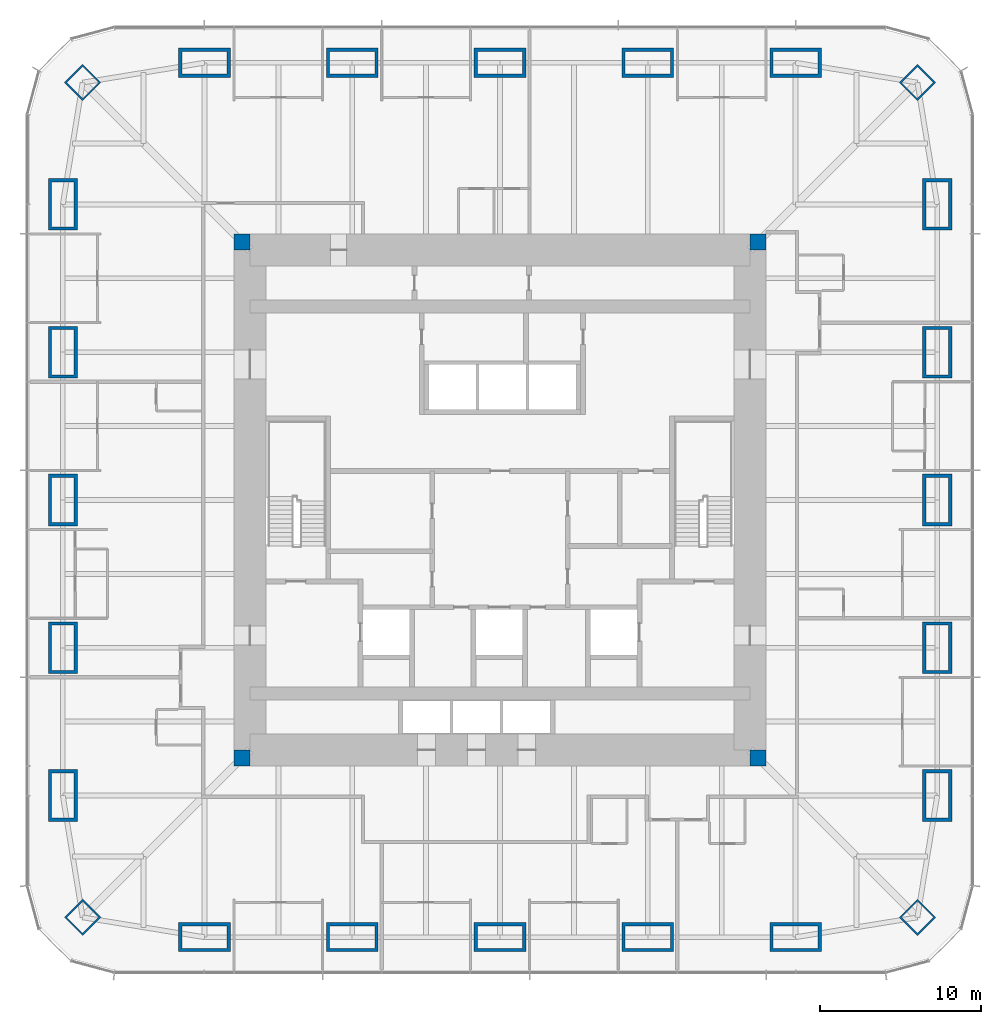
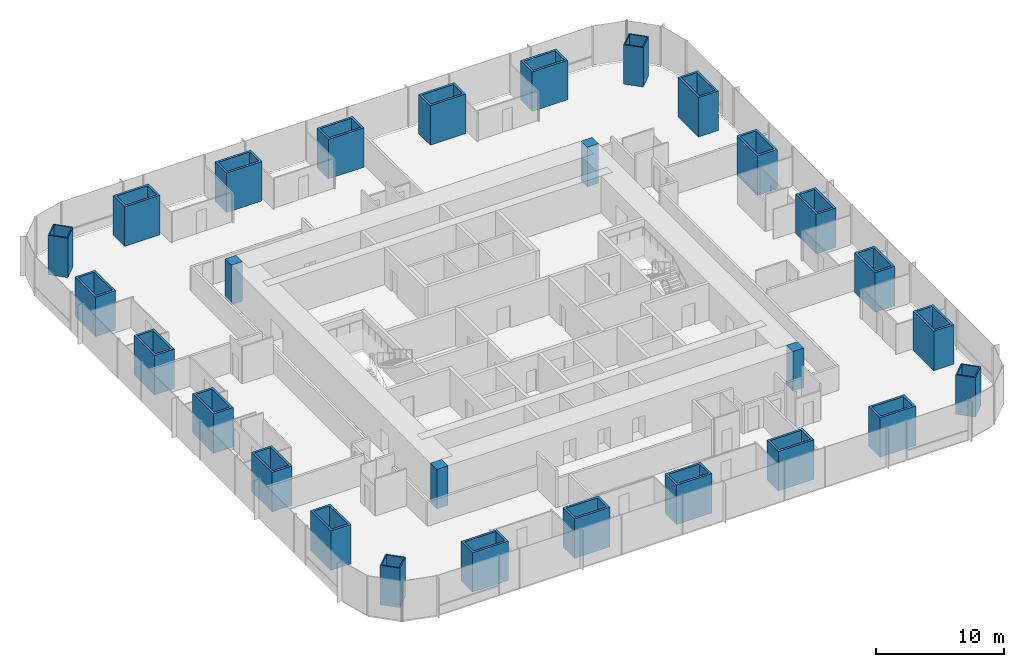
# One storey, part 1 of 13: 28 columns.
"""IFC4 building model written with IfcOpenShell, lengths in metres."""

from ifc_helpers import new_model, si_unit, direction, frame, origin, origin_2d, place, context, subcontext, project, spatial, rectangle, hollow_rectangle, extrude, material, material_profile, profile_set, type_object, element, save


model = new_model("IFC4")

# Units and contexts
model_context = context("Model", 3, precision=1e-05, world=origin(), true_north=direction((0.0, 1.0)))
body_context = subcontext(model_context, "Body", "Model", "MODEL_VIEW")
ifc_project = project(units=[si_unit("LENGTHUNIT", "METRE"), si_unit("AREAUNIT", "SQUARE_METRE"), si_unit("VOLUMEUNIT", "CUBIC_METRE"), si_unit("PLANEANGLEUNIT", "RADIAN"), si_unit("MASSUNIT", "GRAM", prefix="KILO")], contexts=[model_context])

# Site, building, storey
site_placement = place(None, origin())
site = spatial("IfcSite", under=ifc_project, at=site_placement, CompositionType="ELEMENT")
building_placement = place(site_placement, origin())
building = spatial("IfcBuilding", under=site, at=building_placement, Name="Khuree Lantern Residences", CompositionType="ELEMENT")
storey_placement = place(building_placement, frame((0.0, 0.0, 111.0)))
storey = spatial("IfcBuildingStorey", under=building, at=storey_placement, Name="L27", CompositionType="ELEMENT", Elevation=111.0)

# Columns
ifc_material_1 = material(Name="Steel S355 CFT welded box", Category="steel")
ifc_material_profile_1 = material_profile(ifc_material_1, hollow_rectangle(XDim=1.60009765625, YDim=1.60009765625, WallThickness=0.10009765625, at=origin_2d()), Name="WELDED BOX 1600X1600X100")
ifc_profile_set_1 = profile_set([ifc_material_profile_1], Name="Steel S355 CFT welded box")
column_type_1 = type_object("IfcColumnType", Name="CC1600 PERIMETER CORNER MEGA COLUMN WELDED BOX 1600X1600X100", PredefinedType="COLUMN", material=ifc_profile_set_1)
for number, where, z_axis, x_axis, name in (
    (1, (25.869873046875, 25.869873046875, 0.0), (0.0, 0.0, 1.0), (0.707106781187, -0.707106781187, 0.0), "Perimeter column NE"),
    (2, (25.869873046875, -25.869873046875, 0.0), (0.0, 0.0, 1.0), (0.707106781187, 0.707106781187, 0.0), "Perimeter column SE"),
    (3, (-25.869873046875, -25.869873046875, 0.0), (0.0, 0.0, 1.0), (0.707106781187, -0.707106781187, 0.0), "Perimeter column SW"),
    (4, (-25.869873046875, 25.869873046875, 0.0), (0.0, 0.0, 1.0), (0.707106781187, 0.707106781187, 0.0), "Perimeter column NW"),
):
    element("IfcColumn", number, at=place(storey_placement, frame(where, z_axis=z_axis, x_axis=x_axis)), inside=storey, type_object=column_type_1, Name=name, PredefinedType="COLUMN", context=body_context, shape_type="SweptSolid", body=[
        extrude(hollow_rectangle(XDim=1.60009765625, YDim=1.60009765625, WallThickness=0.10009765625, at=origin_2d()), origin(), (0.0, 0.0, 1.0), 3.75),
    ])
ifc_material_2 = material(Name="Concrete C70/85", Category="concrete")
ifc_material_profile_2 = material_profile(ifc_material_2, rectangle(XDim=1.0, YDim=1.0, at=origin_2d()), Name="RC 1000X1000")
ifc_profile_set_2 = profile_set([ifc_material_profile_2], Name="Concrete C70/85")
column_type_2 = type_object("IfcColumnType", Name="CP1000-C70 CORE CORNER PIER C70 RC 1000X1000", PredefinedType="COLUMN", material=ifc_profile_set_2)
for number, where, z_axis, x_axis, name in (
    (5, (16.0, 16.0, -0.25), (0.0, 0.0, 1.0), (1.0, 0.0, 0.0), "Core corner pier NE"),
    (6, (-16.0, 16.0, -0.25), (0.0, 0.0, 1.0), (1.0, 0.0, 0.0), "Core corner pier NW"),
    (7, (-16.0, -16.0, -0.25), (0.0, 0.0, 1.0), (1.0, 0.0, 0.0), "Core corner pier SW"),
    (8, (16.0, -16.0, -0.25), (0.0, 0.0, 1.0), (1.0, 0.0, 0.0), "Core corner pier SE"),
):
    element("IfcColumn", number, at=place(storey_placement, frame(where, z_axis=z_axis, x_axis=x_axis)), inside=storey, type_object=column_type_2, Name=name, PredefinedType="COLUMN", context=body_context, shape_type="SweptSolid", body=[
        extrude(rectangle(XDim=1.0, YDim=1.0, at=origin_2d()), origin(), (0.0, 0.0, 1.0), 3.75),
    ])
ifc_material_profile_3 = material_profile(ifc_material_1, hollow_rectangle(XDim=3.199951171875, YDim=1.800048828125, WallThickness=0.199951171875, at=origin_2d()), Name="WELDED BOX 3200X1800X200")
ifc_profile_set_3 = profile_set([ifc_material_profile_3], Name="Steel S355 CFT welded box")
column_type_3 = type_object("IfcColumnType", Name="SC1 PERIMETER MEGA COLUMN WELDED BOX 3200X1800X200", PredefinedType="COLUMN", material=ifc_profile_set_3)
for number, where, z_axis, x_axis, name in (
    (9, (-18.320068359375, 27.10009765625, 0.0), (0.0, 0.0, 1.0), (1.0, 0.0, 0.0), "Perimeter column N1"),
    (10, (-9.159912109375, 27.10009765625, 0.0), (0.0, 0.0, 1.0), (1.0, 0.0, 0.0), "Perimeter column N2"),
    (11, (0.0, 27.10009765625, 0.0), (0.0, 0.0, 1.0), (1.0, 0.0, 0.0), "Perimeter column N3"),
    (12, (9.159912109375, 27.10009765625, 0.0), (0.0, 0.0, 1.0), (1.0, 0.0, 0.0), "Perimeter column N4"),
    (13, (18.320068359375, 27.10009765625, 0.0), (0.0, 0.0, 1.0), (1.0, 0.0, 0.0), "Perimeter column N5"),
    (14, (27.10009765625, 18.320068359375, 0.0), (0.0, 0.0, 1.0), (0.0, 1.0, 0.0), "Perimeter column E1"),
    (15, (27.10009765625, 9.159912109375, 0.0), (0.0, 0.0, 1.0), (0.0, 1.0, 0.0), "Perimeter column E2"),
    (16, (27.10009765625, 0.0, 0.0), (0.0, 0.0, 1.0), (0.0, 1.0, 0.0), "Perimeter column E3"),
    (17, (27.10009765625, -9.159912109375, 0.0), (0.0, 0.0, 1.0), (0.0, 1.0, 0.0), "Perimeter column E4"),
    (18, (27.10009765625, -18.320068359375, 0.0), (0.0, 0.0, 1.0), (0.0, 1.0, 0.0), "Perimeter column E5"),
    (19, (18.320068359375, -27.10009765625, 0.0), (0.0, 0.0, 1.0), (1.0, 0.0, 0.0), "Perimeter column S1"),
    (20, (9.159912109375, -27.10009765625, 0.0), (0.0, 0.0, 1.0), (1.0, 0.0, 0.0), "Perimeter column S2"),
    (21, (0.0, -27.10009765625, 0.0), (0.0, 0.0, 1.0), (1.0, 0.0, 0.0), "Perimeter column S3"),
    (22, (-9.159912109375, -27.10009765625, 0.0), (0.0, 0.0, 1.0), (1.0, 0.0, 0.0), "Perimeter column S4"),
    (23, (-18.320068359375, -27.10009765625, 0.0), (0.0, 0.0, 1.0), (1.0, 0.0, 0.0), "Perimeter column S5"),
    (24, (-27.10009765625, -18.320068359375, 0.0), (0.0, 0.0, 1.0), (0.0, 1.0, 0.0), "Perimeter column W1"),
    (25, (-27.10009765625, -9.159912109375, 0.0), (0.0, 0.0, 1.0), (0.0, 1.0, 0.0), "Perimeter column W2"),
    (26, (-27.10009765625, 0.0, 0.0), (0.0, 0.0, 1.0), (0.0, 1.0, 0.0), "Perimeter column W3"),
    (27, (-27.10009765625, 9.159912109375, 0.0), (0.0, 0.0, 1.0), (0.0, 1.0, 0.0), "Perimeter column W4"),
    (28, (-27.10009765625, 18.320068359375, 0.0), (0.0, 0.0, 1.0), (0.0, 1.0, 0.0), "Perimeter column W5"),
):
    element("IfcColumn", number, at=place(storey_placement, frame(where, z_axis=z_axis, x_axis=x_axis)), inside=storey, type_object=column_type_3, Name=name, PredefinedType="COLUMN", context=body_context, shape_type="SweptSolid", body=[
        extrude(hollow_rectangle(XDim=3.199951171875, YDim=1.800048828125, WallThickness=0.199951171875, at=origin_2d()), origin(), (0.0, 0.0, 1.0), 3.75),
    ])

save(model, "model.ifc")
